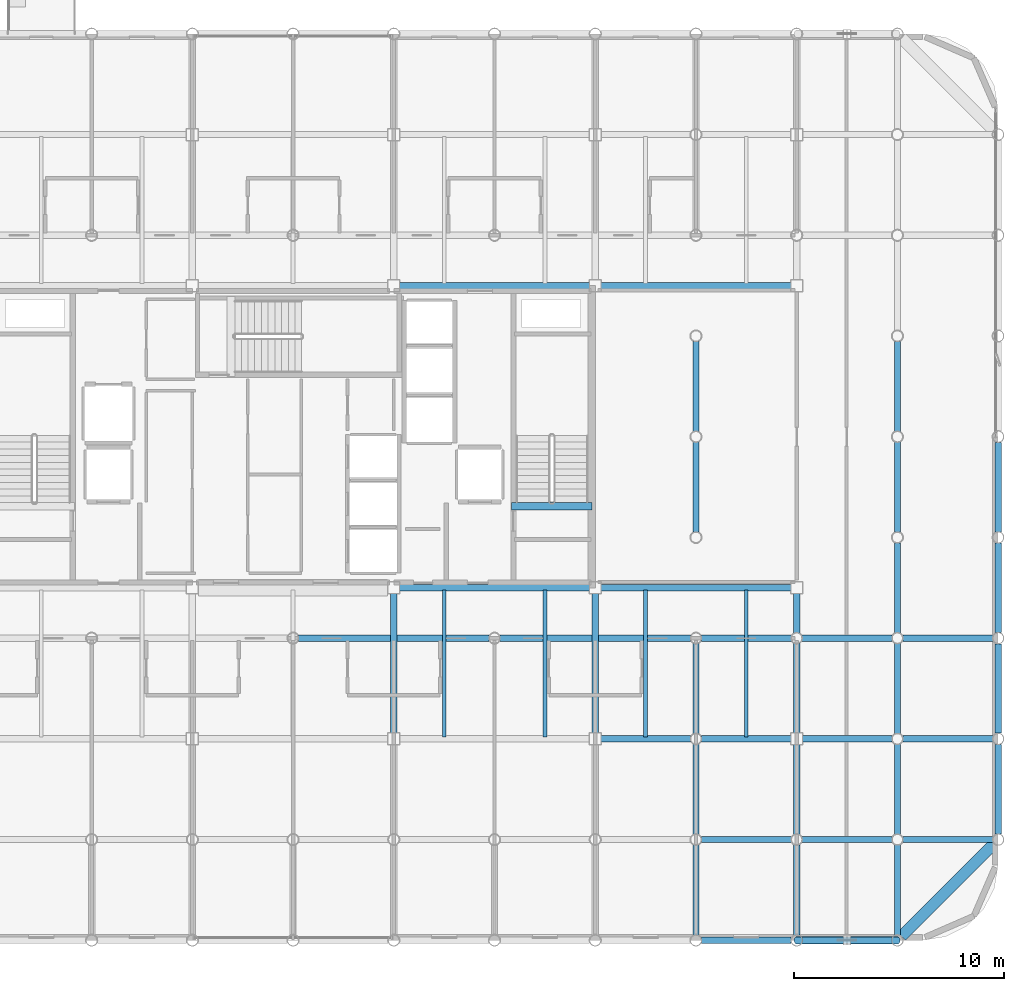
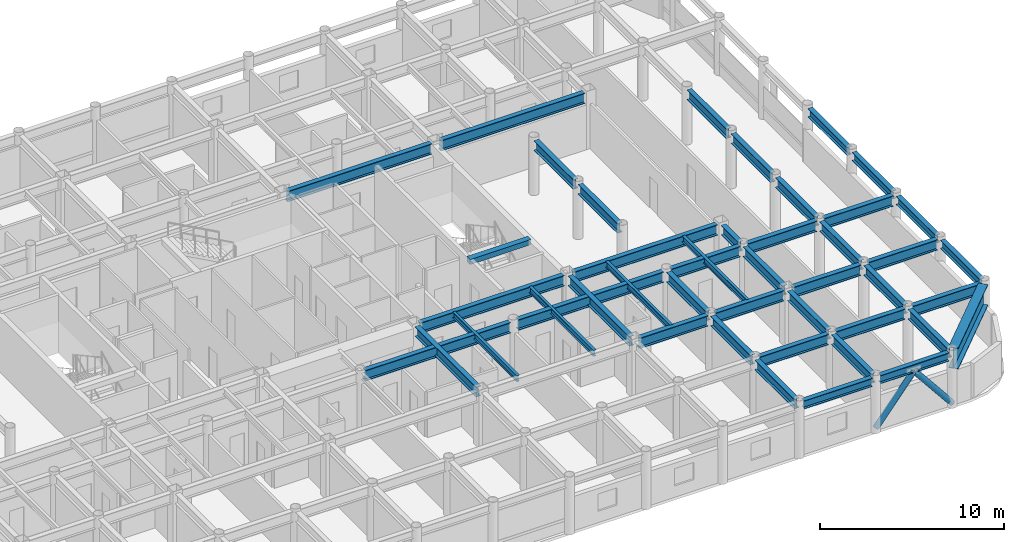
# One storey, part 9 of 23: 45 beams, 2 members.
"""IFC4 building model written with IfcOpenShell, lengths in metres."""

from ifc_helpers import new_model, si_unit, direction, frame, origin, origin_2d, place, context, subcontext, project, spatial, rectangle, hollow_circle, i_section, extrude, material, material_profile, profile_set, type_object, element, save


model = new_model("IFC4")

# Units and contexts
model_context = context("Model", 3, precision=1e-05, world=origin(), true_north=direction((0.0, 1.0)))
body_context = subcontext(model_context, "Body", "Model", "MODEL_VIEW")
ifc_project = project(units=[si_unit("LENGTHUNIT", "METRE"), si_unit("AREAUNIT", "SQUARE_METRE"), si_unit("VOLUMEUNIT", "CUBIC_METRE"), si_unit("PLANEANGLEUNIT", "RADIAN"), si_unit("MASSUNIT", "GRAM", prefix="KILO")], contexts=[model_context])

# Site, building, storey
site_placement = place(None, origin())
site = spatial("IfcSite", under=ifc_project, at=site_placement, CompositionType="ELEMENT")
building_placement = place(site_placement, origin())
building = spatial("IfcBuilding", under=site, at=building_placement, Name="Kallvorn Hotel Tower", CompositionType="ELEMENT")
storey_placement = place(building_placement, frame((0.0, 0.0, 195.35009765625)))
storey = spatial("IfcBuildingStorey", under=building, at=storey_placement, Name="L48", CompositionType="ELEMENT", Elevation=195.35009765625)

# Beams
ifc_material_1 = material(Name="Structural steel S355JR", Category="steel")
ifc_material_profile_1 = material_profile(ifc_material_1, i_section(OverallWidth=0.300048828125, OverallDepth=0.550048828125, WebThickness=0.014892578125, FlangeThickness=0.029052734375, at=origin_2d()), Name="HE 550 B")
ifc_profile_set_1 = profile_set([ifc_material_profile_1], Name="Structural steel S355JR")
beam_type_1 = type_object("IfcBeamType", Name="BM_HE550B", PredefinedType="SPANDREL", material=ifc_profile_set_1)
for number, where, z_axis, x_axis, name in (
    (1, (19.469482421875, -24.0, 3.39501953125), (1.0, 0.0, 0.0), (0.0, 1.0, 0.0), "L49 Perimeter Spandrel 160"),
    (2, (24.26953125, -24.0, 3.39501953125), (1.0, 0.0, 0.0), (0.0, 1.0, 0.0), "L49 Perimeter Spandrel 161"),
    (3, (33.60009765625, -18.930419921875, 3.39501953125), (0.0, 1.0, 0.0), (-1.0, 0.0, 0.0), "L49 Perimeter Spandrel 182"),
):
    element("IfcBeam", number, at=place(storey_placement, frame(where, z_axis=z_axis, x_axis=x_axis)), inside=storey, type_object=beam_type_1, Name=name, PredefinedType="SPANDREL", context=body_context, shape_type="SweptSolid", body=[
        extrude(i_section(OverallWidth=0.300048828125, OverallDepth=0.550048828125, WebThickness=0.014892578125, FlangeThickness=0.029052734375, at=origin_2d()), origin(), (0.0, 0.0, 1.0), 4.260986328125),
    ])
beam_1_placement = place(storey_placement, frame((33.60009765625, -14.130615234375, 3.39501953125), z_axis=(0.0, 1.0, 0.0), x_axis=(-1.0, 0.0, 0.0)))
element("IfcBeam", 4, at=beam_1_placement, inside=storey, type_object=beam_type_1, Name="L49 Perimeter Spandrel 183", PredefinedType="SPANDREL", context=body_context, shape_type="SweptSolid", body=[
    extrude(i_section(OverallWidth=0.300048828125, OverallDepth=0.550048828125, WebThickness=0.014892578125, FlangeThickness=0.029052734375, at=origin_2d()), origin(), (0.0, 0.0, 1.0), 4.26123046875),
])
for number, where, z_axis, x_axis, name in (
    (5, (33.60009765625, -9.33056640625, 3.39501953125), (0.0, 1.0, 0.0), (-1.0, 0.0, 0.0), "L49 Perimeter Spandrel 184"),
    (6, (33.60009765625, -4.530517578125, 3.39501953125), (0.0, 1.0, 0.0), (-1.0, 0.0, 0.0), "L49 Perimeter Spandrel 185"),
):
    element("IfcBeam", number, at=place(storey_placement, frame(where, z_axis=z_axis, x_axis=x_axis)), inside=storey, type_object=beam_type_1, Name=name, PredefinedType="SPANDREL", context=body_context, shape_type="SweptSolid", body=[
        extrude(i_section(OverallWidth=0.300048828125, OverallDepth=0.550048828125, WebThickness=0.014892578125, FlangeThickness=0.029052734375, at=origin_2d()), origin(), (0.0, 0.0, 1.0), 4.260986328125),
    ])
ifc_material_2 = material(Name="Structural steel S355JR", Category="steel")
ifc_material_profile_2 = material_profile(ifc_material_2, i_section(OverallWidth=0.300048828125, OverallDepth=0.64990234375, WebThickness=0.01611328125, FlangeThickness=0.031005859375, at=origin_2d()), Name="HE 650 B")
ifc_profile_set_2 = profile_set([ifc_material_profile_2], Name="Structural steel S355JR")
beam_type_2 = type_object("IfcBeamType", Name="BM_HE650B", PredefinedType="BEAM", material=ifc_profile_set_2)
for number, where, z_axis, x_axis, name in (
    (7, (4.800048828125, -14.125, 3.344970703125), (0.0, 1.0, 0.0), (-1.0, 0.0, 0.0), "L49 Primary Y-Girder 115"),
    (8, (14.39990234375, -14.125, 3.344970703125), (0.0, 1.0, 0.0), (-1.0, 0.0, 0.0), "L49 Primary Y-Girder 123"),
):
    element("IfcBeam", number, at=place(storey_placement, frame(where, z_axis=z_axis, x_axis=x_axis)), inside=storey, type_object=beam_type_2, Name=name, PredefinedType="BEAM", context=body_context, shape_type="SweptSolid", body=[
        extrude(i_section(OverallWidth=0.300048828125, OverallDepth=0.64990234375, WebThickness=0.01611328125, FlangeThickness=0.031005859375, at=origin_2d()), origin(), (0.0, 0.0, 1.0), 6.64990234375),
    ])
for number, where, z_axis, x_axis, name in (
    (9, (19.199951171875, -23.74560546875, 3.344970703125), (0.0, 1.0, 0.0), (-1.0, 0.0, 0.0), "L49 Primary Y-Girder 126"),
    (10, (19.199951171875, -18.945556640625, 3.344970703125), (0.0, 1.0, 0.0), (-1.0, 0.0, 0.0), "L49 Primary Y-Girder 127"),
    (11, (19.199951171875, -14.1455078125, 3.344970703125), (0.0, 1.0, 0.0), (-1.0, 0.0, 0.0), "L49 Primary Y-Girder 128"),
    (12, (19.199951171875, -4.54541015625, 3.344970703125), (0.0, 1.0, 0.0), (-1.0, 0.0, 0.0), "L49 Primary Y-Girder 130"),
    (13, (19.199951171875, 0.25439453125, 3.344970703125), (0.0, 1.0, 0.0), (-1.0, 0.0, 0.0), "L49 Primary Y-Girder 131"),
    (14, (24.0, -23.74560546875, 3.344970703125), (0.0, 1.0, 0.0), (-1.0, 0.0, 0.0), "L49 Primary Y-Girder 135"),
):
    element("IfcBeam", number, at=place(storey_placement, frame(where, z_axis=z_axis, x_axis=x_axis)), inside=storey, type_object=beam_type_2, Name=name, PredefinedType="BEAM", context=body_context, shape_type="SweptSolid", body=[
        extrude(i_section(OverallWidth=0.300048828125, OverallDepth=0.64990234375, WebThickness=0.01611328125, FlangeThickness=0.031005859375, at=origin_2d()), origin(), (0.0, 0.0, 1.0), 4.291015625),
    ])
for number, where, z_axis, x_axis, name in (
    (15, (24.0, -18.945556640625, 3.344970703125), (0.0, 1.0, 0.0), (-1.0, 0.0, 0.0), "L49 Primary Y-Girder 136"),
    (16, (24.0, -14.125, 3.344970703125), (0.0, 1.0, 0.0), (-1.0, 0.0, 0.0), "L49 Primary Y-Girder 137"),
):
    element("IfcBeam", number, at=place(storey_placement, frame(where, z_axis=z_axis, x_axis=x_axis)), inside=storey, type_object=beam_type_2, Name=name, PredefinedType="BEAM", context=body_context, shape_type="SweptSolid", body=[
        extrude(i_section(OverallWidth=0.300048828125, OverallDepth=0.64990234375, WebThickness=0.01611328125, FlangeThickness=0.031005859375, at=origin_2d()), origin(), (0.0, 0.0, 1.0), 4.2705078125),
    ])
beam_2_placement = place(storey_placement, frame((24.0, -9.345458984375, 3.344970703125), z_axis=(0.0, 1.0, 0.0), x_axis=(-1.0, 0.0, 0.0)))
element("IfcBeam", 17, at=beam_2_placement, inside=storey, type_object=beam_type_2, Name="L49 Primary Y-Girder 138", PredefinedType="BEAM", context=body_context, shape_type="SweptSolid", body=[
    extrude(i_section(OverallWidth=0.300048828125, OverallDepth=0.64990234375, WebThickness=0.01611328125, FlangeThickness=0.031005859375, at=origin_2d()), origin(), (0.0, 0.0, 1.0), 1.870361328125),
])
for number, where, z_axis, x_axis, name in (
    (18, (28.800048828125, -23.74560546875, 3.344970703125), (0.0, 1.0, 0.0), (-1.0, 0.0, 0.0), "L49 Primary Y-Girder 142"),
    (19, (28.800048828125, -18.945556640625, 3.344970703125), (0.0, 1.0, 0.0), (-1.0, 0.0, 0.0), "L49 Primary Y-Girder 143"),
    (20, (28.800048828125, -14.1455078125, 3.344970703125), (0.0, 1.0, 0.0), (-1.0, 0.0, 0.0), "L49 Primary Y-Girder 144"),
    (21, (28.800048828125, -9.345458984375, 3.344970703125), (0.0, 1.0, 0.0), (-1.0, 0.0, 0.0), "L49 Primary Y-Girder 145"),
    (22, (28.800048828125, -4.54541015625, 3.344970703125), (0.0, 1.0, 0.0), (-1.0, 0.0, 0.0), "L49 Primary Y-Girder 146"),
    (23, (28.800048828125, 0.25439453125, 3.344970703125), (0.0, 1.0, 0.0), (-1.0, 0.0, 0.0), "L49 Primary Y-Girder 147"),
):
    element("IfcBeam", number, at=place(storey_placement, frame(where, z_axis=z_axis, x_axis=x_axis)), inside=storey, type_object=beam_type_2, Name=name, PredefinedType="BEAM", context=body_context, shape_type="SweptSolid", body=[
        extrude(i_section(OverallWidth=0.300048828125, OverallDepth=0.64990234375, WebThickness=0.01611328125, FlangeThickness=0.031005859375, at=origin_2d()), origin(), (0.0, 0.0, 1.0), 4.291015625),
    ])
ifc_material_3 = material(Name="Structural steel S355JR", Category="steel")
ifc_material_profile_3 = material_profile(ifc_material_3, i_section(OverallWidth=0.300048828125, OverallDepth=0.699951171875, WebThickness=0.01708984375, FlangeThickness=0.031982421875, at=origin_2d()), Name="HE 700 B")
ifc_profile_set_3 = profile_set([ifc_material_profile_3], Name="Structural steel S355JR")
beam_type_3 = type_object("IfcBeamType", Name="BM_HE700B", PredefinedType="BEAM", material=ifc_profile_set_3)
for number, where, z_axis, x_axis, name in (
    (24, (19.45458984375, -19.199951171875, 3.31982421875), (1.0, 0.0, 0.0), (0.0, 1.0, 0.0), "L49 Primary X-Girder 11"),
    (25, (24.25439453125, -19.199951171875, 3.31982421875), (1.0, 0.0, 0.0), (0.0, 1.0, 0.0), "L49 Primary X-Girder 12"),
    (26, (29.054443359375, -19.199951171875, 3.31982421875), (1.0, 0.0, 0.0), (0.0, 1.0, 0.0), "L49 Primary X-Girder 13"),
):
    element("IfcBeam", number, at=place(storey_placement, frame(where, z_axis=z_axis, x_axis=x_axis)), inside=storey, type_object=beam_type_3, Name=name, PredefinedType="BEAM", context=body_context, shape_type="SweptSolid", body=[
        extrude(i_section(OverallWidth=0.300048828125, OverallDepth=0.699951171875, WebThickness=0.01708984375, FlangeThickness=0.031982421875, at=origin_2d()), origin(), (0.0, 0.0, 1.0), 4.291015625),
    ])
for number, where, z_axis, x_axis, name in (
    (27, (14.675048828125, -14.39990234375, 3.31982421875), (1.0, 0.0, 0.0), (0.0, 1.0, 0.0), "L49 Primary X-Girder 20"),
    (28, (19.45458984375, -14.39990234375, 3.31982421875), (1.0, 0.0, 0.0), (0.0, 1.0, 0.0), "L49 Primary X-Girder 21"),
    (29, (24.27490234375, -14.39990234375, 3.31982421875), (1.0, 0.0, 0.0), (0.0, 1.0, 0.0), "L49 Primary X-Girder 22"),
):
    element("IfcBeam", number, at=place(storey_placement, frame(where, z_axis=z_axis, x_axis=x_axis)), inside=storey, type_object=beam_type_3, Name=name, PredefinedType="BEAM", context=body_context, shape_type="SweptSolid", body=[
        extrude(i_section(OverallWidth=0.300048828125, OverallDepth=0.699951171875, WebThickness=0.01708984375, FlangeThickness=0.031982421875, at=origin_2d()), origin(), (0.0, 0.0, 1.0), 4.2705078125),
    ])
beam_3_placement = place(storey_placement, frame((29.054443359375, -14.39990234375, 3.31982421875), z_axis=(1.0, 0.0, 0.0), x_axis=(0.0, 1.0, 0.0)))
element("IfcBeam", 30, at=beam_3_placement, inside=storey, type_object=beam_type_3, Name="L49 Primary X-Girder 23", PredefinedType="BEAM", context=body_context, shape_type="SweptSolid", body=[
    extrude(i_section(OverallWidth=0.300048828125, OverallDepth=0.699951171875, WebThickness=0.01708984375, FlangeThickness=0.031982421875, at=origin_2d()), origin(), (0.0, 0.0, 1.0), 4.291015625),
])
for number, where, z_axis, x_axis, name in (
    (31, (0.25439453125, -9.60009765625, 3.31982421875), (1.0, 0.0, 0.0), (0.0, 1.0, 0.0), "L49 Primary X-Girder 28"),
    (32, (9.8544921875, -9.60009765625, 3.31982421875), (1.0, 0.0, 0.0), (0.0, 1.0, 0.0), "L49 Primary X-Girder 29"),
):
    element("IfcBeam", number, at=place(storey_placement, frame(where, z_axis=z_axis, x_axis=x_axis)), inside=storey, type_object=beam_type_3, Name=name, PredefinedType="BEAM", context=body_context, shape_type="SweptSolid", body=[
        extrude(i_section(OverallWidth=0.300048828125, OverallDepth=0.699951171875, WebThickness=0.01708984375, FlangeThickness=0.031982421875, at=origin_2d()), origin(), (0.0, 0.0, 1.0), 9.091064453125),
    ])
for number, where, z_axis, x_axis, name in (
    (33, (19.45458984375, -9.60009765625, 3.31982421875), (1.0, 0.0, 0.0), (0.0, 1.0, 0.0), "L49 Primary X-Girder 30"),
    (34, (24.25439453125, -9.60009765625, 3.31982421875), (1.0, 0.0, 0.0), (0.0, 1.0, 0.0), "L49 Primary X-Girder 31"),
    (35, (29.054443359375, -9.60009765625, 3.31982421875), (1.0, 0.0, 0.0), (0.0, 1.0, 0.0), "L49 Primary X-Girder 32"),
):
    element("IfcBeam", number, at=place(storey_placement, frame(where, z_axis=z_axis, x_axis=x_axis)), inside=storey, type_object=beam_type_3, Name=name, PredefinedType="BEAM", context=body_context, shape_type="SweptSolid", body=[
        extrude(i_section(OverallWidth=0.300048828125, OverallDepth=0.699951171875, WebThickness=0.01708984375, FlangeThickness=0.031982421875, at=origin_2d()), origin(), (0.0, 0.0, 1.0), 4.291015625),
    ])
for number, where, z_axis, x_axis, name in (
    (36, (5.074951171875, -7.199951171875, 3.31982421875), (1.0, 0.0, 0.0), (0.0, 1.0, 0.0), "L49 Primary X-Girder 35"),
    (37, (14.675048828125, -7.199951171875, 3.31982421875), (1.0, 0.0, 0.0), (0.0, 1.0, 0.0), "L49 Primary X-Girder 36"),
    (38, (5.074951171875, 7.199951171875, 3.31982421875), (1.0, 0.0, 0.0), (0.0, 1.0, 0.0), "L49 Primary X-Girder 40"),
    (39, (14.675048828125, 7.199951171875, 3.31982421875), (1.0, 0.0, 0.0), (0.0, 1.0, 0.0), "L49 Primary X-Girder 41"),
):
    element("IfcBeam", number, at=place(storey_placement, frame(where, z_axis=z_axis, x_axis=x_axis)), inside=storey, type_object=beam_type_3, Name=name, PredefinedType="BEAM", context=body_context, shape_type="SweptSolid", body=[
        extrude(i_section(OverallWidth=0.300048828125, OverallDepth=0.699951171875, WebThickness=0.01708984375, FlangeThickness=0.031982421875, at=origin_2d()), origin(), (0.0, 0.0, 1.0), 9.050048828125),
    ])
ifc_material_4 = material(Name="Structural steel S355JR", Category="steel")
ifc_material_profile_4 = material_profile(ifc_material_4, i_section(OverallWidth=0.179931640625, OverallDepth=0.39990234375, WebThickness=0.008544921875, FlangeThickness=0.013427734375, at=origin_2d()), Name="IPE 400")
ifc_profile_set_4 = profile_set([ifc_material_profile_4], Name="Structural steel S355JR")
beam_type_4 = type_object("IfcBeamType", Name="BM_IPE400", PredefinedType="JOIST", material=ifc_profile_set_4)
for number, where, z_axis, x_axis, name in (
    (40, (7.199951171875, -14.300048828125, 3.469970703125), (0.0, 1.0, 0.0), (-1.0, 0.0, 0.0), "L49 Secondary Composite Joist 202"),
    (41, (12.0, -14.300048828125, 3.469970703125), (0.0, 1.0, 0.0), (-1.0, 0.0, 0.0), "L49 Secondary Composite Joist 204"),
    (42, (16.800048828125, -14.300048828125, 3.469970703125), (0.0, 1.0, 0.0), (-1.0, 0.0, 0.0), "L49 Secondary Composite Joist 206"),
    (43, (21.60009765625, -14.300048828125, 3.469970703125), (0.0, 1.0, 0.0), (-1.0, 0.0, 0.0), "L49 Secondary Composite Joist 208"),
):
    element("IfcBeam", number, at=place(storey_placement, frame(where, z_axis=z_axis, x_axis=x_axis)), inside=storey, type_object=beam_type_4, Name=name, PredefinedType="JOIST", context=body_context, shape_type="SweptSolid", body=[
        extrude(i_section(OverallWidth=0.179931640625, OverallDepth=0.39990234375, WebThickness=0.008544921875, FlangeThickness=0.013427734375, at=origin_2d()), origin(), (0.0, 0.0, 1.0), 7.0),
    ])
ifc_material_5 = material(Name="Structural steel S355JR", Category="steel")
ifc_material_profile_5 = material_profile(ifc_material_5, i_section(OverallWidth=0.550048828125, OverallDepth=1.39990234375, WebThickness=0.02490234375, FlangeThickness=0.044921875, at=origin_2d()), Name="PG 1400x550x25x45")
ifc_profile_set_5 = profile_set([ifc_material_profile_5], Name="Structural steel S355JR")
beam_type_5 = type_object("IfcBeamType", Name="BM_PG_1400", PredefinedType="BEAM", material=ifc_profile_set_5)
beam_4_placement = place(storey_placement, frame((33.409423828125, -19.390625, 2.969970703125), z_axis=(-0.707126314793, -0.707087247041, 0.0), x_axis=(0.707087247041, -0.707126314793, 0.0)))
element("IfcBeam", 44, at=beam_4_placement, inside=storey, type_object=beam_type_5, Name="L49 Rounded Corner Tie Beam 190", PredefinedType="BEAM", context=body_context, shape_type="SweptSolid", body=[
    extrude(i_section(OverallWidth=0.550048828125, OverallDepth=1.39990234375, WebThickness=0.02490234375, FlangeThickness=0.044921875, at=origin_2d()), origin(), (0.0, 0.0, 1.0), 6.249267578125),
])
ifc_material_6 = material(Name="Concrete C50/60", Category="concrete")
ifc_material_profile_6 = material_profile(ifc_material_6, rectangle(XDim=0.360107421875, YDim=0.340087890625, at=origin_2d()), Name="RC 360x340")
ifc_profile_set_6 = profile_set([ifc_material_profile_6], Name="Concrete C50/60")
beam_type_6 = type_object("IfcBeamType", Name="BM_RC_400x360", PredefinedType="BEAM", material=ifc_profile_set_6)
beam_5_placement = place(storey_placement, frame((14.239990234375, -3.31005859375, 3.5), z_axis=(-1.0, 0.0, 0.0), x_axis=(0.0, -1.0, 0.0)))
element("IfcBeam", 45, at=beam_5_placement, inside=storey, type_object=beam_type_6, Name="L49 Stair ST2 Arrival Trimmer Beam", PredefinedType="BEAM", context=body_context, shape_type="SweptSolid", body=[
    extrude(rectangle(XDim=0.360107421875, YDim=0.340087890625, at=origin_2d()), origin(), (0.0, 0.0, 1.0), 3.820068359375),
])

# Members
ifc_material_7 = material(Name="Structural steel S355J2H", Category="steel")
ifc_material_profile_7 = material_profile(ifc_material_7, hollow_circle(Radius=0.177734375, WallThickness=0.01416015625, at=origin_2d()), Name="CHS 355.6x14.2")
ifc_profile_set_7 = profile_set([ifc_material_profile_7], Name="Structural steel S355J2H")
member_type = type_object("IfcMemberType", Name="MBR_EXO_CHS355", PredefinedType="BRACE", material=ifc_profile_set_7)
for number, where, z_axis, x_axis, name in (
    (46, (24.012451171875, -24.0, 0.195556640625), (0.627270878626, 0.0, 0.778801158722), (0.0, 1.0, 0.0), "L48 Exoskeleton K-Brace S2A"),
    (47, (28.78759765625, -24.0, 0.195556640625), (-0.627270878626, 0.0, 0.778801158722), (0.0, -1.0, 0.0), "L48 Exoskeleton K-Brace S2B"),
):
    element("IfcMember", number, at=place(storey_placement, frame(where, z_axis=z_axis, x_axis=x_axis)), inside=storey, type_object=member_type, Name=name, PredefinedType="BRACE", context=body_context, shape_type="SweptSolid", body=[
        extrude(hollow_circle(Radius=0.177734375, WallThickness=0.01416015625, at=origin_2d()), origin(), (0.0, 0.0, 1.0), 3.7861328125),
    ])

save(model, "model.ifc")
